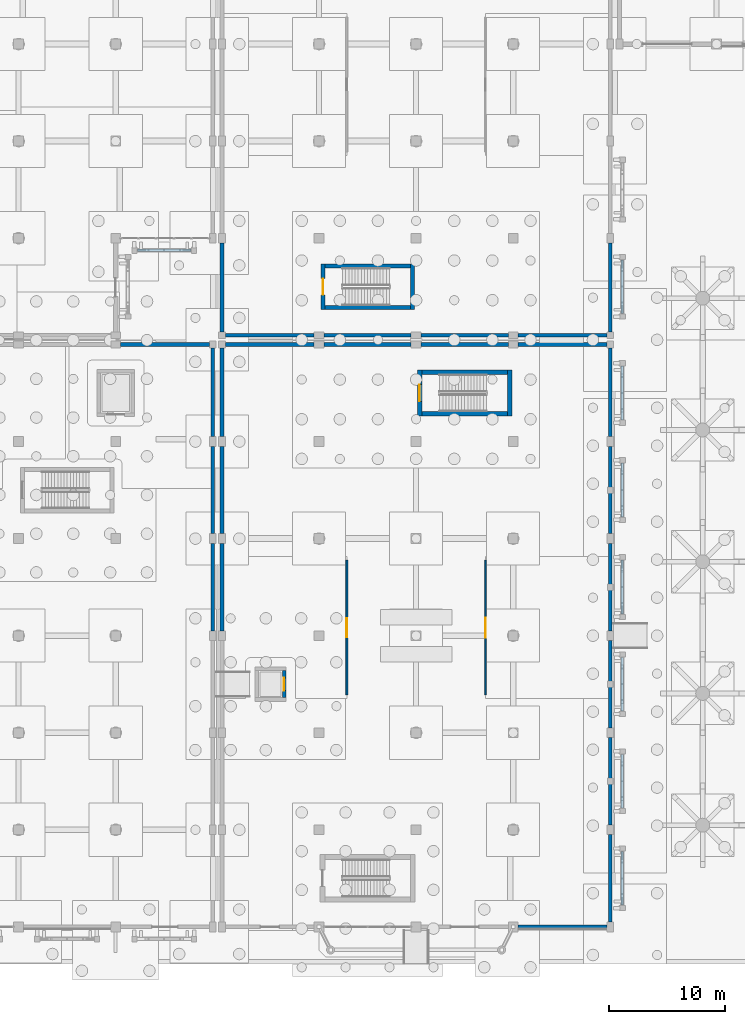
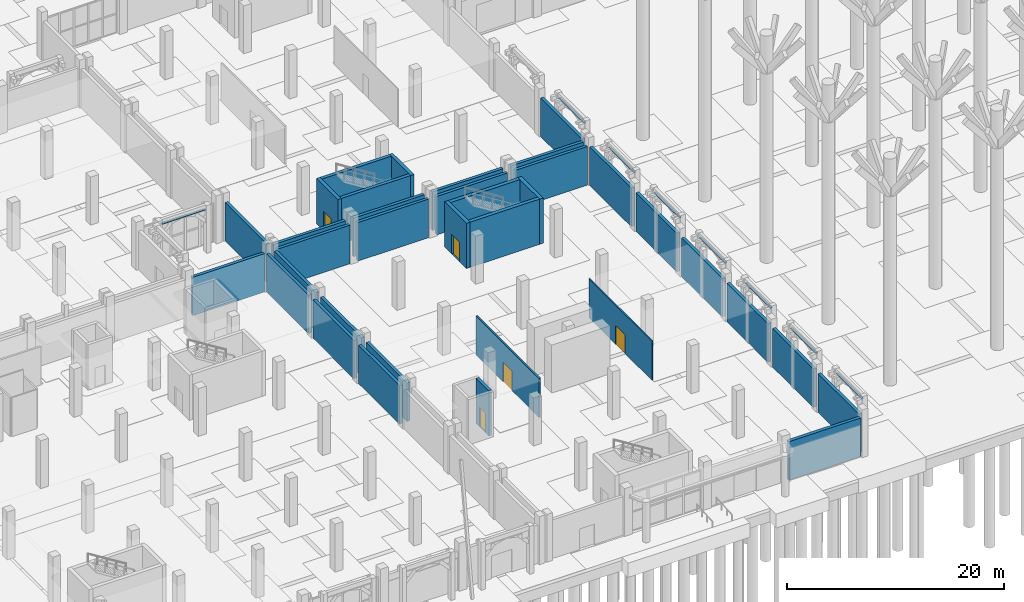
# One storey, part 65 of 98: 43 walls, 5 doors, 5 openings.
"""IFC4 building model written with IfcOpenShell, lengths in metres."""

from ifc_helpers import new_model, si_unit, direction, frame, frame_2d, origin, place, context, subcontext, project, spatial, rectangle, extrude, material, layer, layer_set, type_object, element, fill, save


model = new_model("IFC4")

# Units and contexts
model_context = context("Model", 3, precision=1e-05, world=origin(), true_north=direction((0.0, 1.0)))
body_context = subcontext(model_context, "Body", "Model", "MODEL_VIEW")
ifc_project = project(units=[si_unit("LENGTHUNIT", "METRE"), si_unit("AREAUNIT", "SQUARE_METRE"), si_unit("VOLUMEUNIT", "CUBIC_METRE"), si_unit("PLANEANGLEUNIT", "RADIAN"), si_unit("MASSUNIT", "GRAM", prefix="KILO")], contexts=[model_context])

# Site, building, storey
site_placement = place(None, origin())
site = spatial("IfcSite", under=ifc_project, at=site_placement, CompositionType="ELEMENT")
building_placement = place(site_placement, origin())
building = spatial("IfcBuilding", under=site, at=building_placement, Name="Xazarin Passage Department Store", CompositionType="ELEMENT")
storey_placement = place(building_placement, origin())
storey = spatial("IfcBuildingStorey", under=building, at=storey_placement, Name="L00", CompositionType="ELEMENT", Elevation=0.0)

# Wall, opening, door
ifc_material_1 = material(Name="Buff Baku clay brick", Category="masonry")
ifc_layer_1 = layer(ifc_material_1, 0.169921875)
ifc_layer_set_1 = layer_set([ifc_layer_1], Name="Buff Baku clay brick")
wall_type_1 = type_object("IfcWallType", Name="ARC-W-CMP170", PredefinedType="PARTITIONING", material=ifc_layer_set_1)
wall_1_placement = place(storey_placement, frame((78.800048828125, 20.070068359375, 0.0), z_axis=(0.0, 0.0, 1.0), x_axis=(0.0, 1.0, 0.0)))
wall_1 = element("IfcWall", 1, at=wall_1_placement, inside=storey, type_object=wall_type_1, Name="L00 Silk and Cashmere Shop Front Wall 0055", PredefinedType="PARTITIONING", context=body_context, shape_type="SweptSolid", body=[
    extrude(rectangle(XDim=11.659912109375, YDim=0.169921875, at=frame_2d((5.830078125, 0.0))), origin(), (0.0, 0.0, 1.0), 4.39990234375),
])
opening_1_placement = place(wall_1_placement, frame((5.010009765625, 0.0, 0.0)))
opening_1 = element("IfcOpeningElement", 2, at=opening_1_placement, cuts=wall_1, Name="Opening ID44", PredefinedType="OPENING", context=body_context, shape_type="SweptSolid", body=[
    extrude(rectangle(XDim=1.639892578125, YDim=2.219970703125, at=frame_2d((0.81982421875, 1.10986328125))), frame((0.0, 0.094970703125, 0.0), z_axis=(0.0, -1.0, 0.0), x_axis=(1.0, 0.0, 0.0)), (0.0, 0.0, 1.0), 0.18994140625),
])
ifc_material_2 = material(Name="Bronze anodised aluminium", Category="aluminium")
door_type_1 = type_object("IfcDoorType", Name="ARC-DR-ID44", OperationType="NOTDEFINED", PredefinedType="DOOR", material=ifc_material_2)
door_1_placement = place(opening_1_placement, origin())
door_1 = element("IfcDoor", 3, at=door_1_placement, inside=storey, type_object=door_type_1, Name="DR-INT-L00-0055", OperationType="DOUBLE_DOOR_SINGLE_SWING", OverallHeight=2.219970703125, OverallWidth=1.639892578125, PredefinedType="DOOR", context=body_context, shape_type="SweptSolid", body=[
    extrude(rectangle(XDim=1.639892578125, YDim=2.219970703125, at=frame_2d((0.81982421875, 1.10986328125))), frame((0.0, 0.02490234375, 0.0), z_axis=(0.0, -1.0, 0.0), x_axis=(1.0, 0.0, 0.0)), (0.0, 0.0, 1.0), 0.050048828125),
])
fill(opening_1, door_1)

# Walls
ifc_layer_2 = layer(ifc_material_1, 0.320068359375)
ifc_layer_set_2 = layer_set([ifc_layer_2], Name="Buff Baku clay brick")
wall_type_2 = type_object("IfcWallType", Name="ARC-W-EXT320", PredefinedType="SOLIDWALL", material=ifc_layer_set_2)
wall_2_placement = place(storey_placement, frame((68.300048828125, 50.39990234375, 0.0), z_axis=(0.0, 0.0, 1.0), x_axis=(1.0, 0.0, 0.0)))
element("IfcWall", 4, at=wall_2_placement, inside=storey, type_object=wall_type_2, Name="L00 V2S Exterior Wall 090", PredefinedType="SOLIDWALL", context=body_context, shape_type="SweptSolid", body=[
    extrude(rectangle(XDim=7.675048828125, YDim=0.320068359375, at=frame_2d((3.83740234375, 0.0))), origin(), (0.0, 0.0, 1.0), 4.35009765625),
])
wall_3_placement = place(storey_placement, frame((76.824951171875, 50.39990234375, 0.0), z_axis=(0.0, 0.0, 1.0), x_axis=(1.0, 0.0, 0.0)))
element("IfcWall", 5, at=wall_3_placement, inside=storey, type_object=wall_type_2, Name="L00 V2S Exterior Wall 091", PredefinedType="SOLIDWALL", context=body_context, shape_type="SweptSolid", body=[
    extrude(rectangle(XDim=7.550048828125, YDim=0.320068359375, at=frame_2d((3.77490234375, 0.0))), origin(), (0.0, 0.0, 1.0), 4.35009765625),
])
wall_4_placement = place(storey_placement, frame((85.22509765625, 50.39990234375, 0.0), z_axis=(0.0, 0.0, 1.0), x_axis=(1.0, 0.0, 0.0)))
element("IfcWall", 6, at=wall_4_placement, inside=storey, type_object=wall_type_2, Name="L00 V2S Exterior Wall 092", PredefinedType="SOLIDWALL", context=body_context, shape_type="SweptSolid", body=[
    extrude(rectangle(XDim=7.5498046875, YDim=0.320068359375, at=frame_2d((3.77490234375, 0.0))), origin(), (0.0, 0.0, 1.0), 4.35009765625),
])
wall_5_placement = place(storey_placement, frame((93.625, 50.39990234375, 0.0), z_axis=(0.0, 0.0, 1.0), x_axis=(1.0, 0.0, 0.0)))
element("IfcWall", 7, at=wall_5_placement, inside=storey, type_object=wall_type_2, Name="L00 V2S Exterior Wall 093", PredefinedType="SOLIDWALL", context=body_context, shape_type="SweptSolid", body=[
    extrude(rectangle(XDim=7.675048828125, YDim=0.320068359375, at=frame_2d((3.83740234375, 0.0))), origin(), (0.0, 0.0, 1.0), 4.35009765625),
])
for number, where, z_axis, x_axis, name in (
    (8, (68.0, 25.625, 0.0), (0.0, 0.0, 1.0), (0.0, 1.0, 0.0), "L00 V2S Exterior Wall 097"),
    (9, (68.0, 34.02490234375, 0.0), (0.0, 0.0, 1.0), (0.0, 1.0, 0.0), "L00 V2S Exterior Wall 098"),
):
    element("IfcWall", number, at=place(storey_placement, frame(where, z_axis=z_axis, x_axis=x_axis)), inside=storey, type_object=wall_type_2, Name=name, PredefinedType="SOLIDWALL", context=body_context, shape_type="SweptSolid", body=[
        extrude(rectangle(XDim=7.550048828125, YDim=0.320068359375, at=frame_2d((3.77490234375, 0.0))), origin(), (0.0, 0.0, 1.0), 4.35009765625),
    ])
wall_6_placement = place(storey_placement, frame((68.0, 42.425048828125, 0.0), z_axis=(0.0, 0.0, 1.0), x_axis=(0.0, 1.0, 0.0)))
element("IfcWall", 10, at=wall_6_placement, inside=storey, type_object=wall_type_2, Name="L00 V2S Exterior Wall 099", PredefinedType="SOLIDWALL", context=body_context, shape_type="SweptSolid", body=[
    extrude(rectangle(XDim=7.675048828125, YDim=0.320068359375, at=frame_2d((3.83740234375, 0.0))), origin(), (0.0, 0.0, 1.0), 4.35009765625),
])
for number, where, z_axis, x_axis, name in (
    (11, (101.60009765625, 0.425048828125, 0.0), (0.0, 0.0, 1.0), (0.0, 1.0, 0.0), "L00 V2S Exterior Wall 100"),
    (12, (101.60009765625, 8.824951171875, 0.0), (0.0, 0.0, 1.0), (0.0, 1.0, 0.0), "L00 V2S Exterior Wall 101"),
):
    element("IfcWall", number, at=place(storey_placement, frame(where, z_axis=z_axis, x_axis=x_axis)), inside=storey, type_object=wall_type_2, Name=name, PredefinedType="SOLIDWALL", context=body_context, shape_type="SweptSolid", body=[
        extrude(rectangle(XDim=7.550048828125, YDim=0.320068359375, at=frame_2d((3.77490234375, 0.0))), origin(), (0.0, 0.0, 1.0), 4.35009765625),
    ])
wall_7_placement = place(storey_placement, frame((101.60009765625, 17.22509765625, 0.0), z_axis=(0.0, 0.0, 1.0), x_axis=(0.0, 1.0, 0.0)))
element("IfcWall", 13, at=wall_7_placement, inside=storey, type_object=wall_type_2, Name="L00 V2S Exterior Wall 102", PredefinedType="SOLIDWALL", context=body_context, shape_type="SweptSolid", body=[
    extrude(rectangle(XDim=7.5498046875, YDim=0.320068359375, at=frame_2d((3.77490234375, 0.0))), origin(), (0.0, 0.0, 1.0), 4.35009765625),
])
for number, where, z_axis, x_axis, name in (
    (14, (101.60009765625, 25.625, 0.0), (0.0, 0.0, 1.0), (0.0, 1.0, 0.0), "L00 V2S Exterior Wall 103"),
    (15, (101.60009765625, 34.02490234375, 0.0), (0.0, 0.0, 1.0), (0.0, 1.0, 0.0), "L00 V2S Exterior Wall 104"),
):
    element("IfcWall", number, at=place(storey_placement, frame(where, z_axis=z_axis, x_axis=x_axis)), inside=storey, type_object=wall_type_2, Name=name, PredefinedType="SOLIDWALL", context=body_context, shape_type="SweptSolid", body=[
        extrude(rectangle(XDim=7.550048828125, YDim=0.320068359375, at=frame_2d((3.77490234375, 0.0))), origin(), (0.0, 0.0, 1.0), 4.35009765625),
    ])
for number, where, z_axis, x_axis, name in (
    (16, (101.60009765625, 42.425048828125, 0.0), (0.0, 0.0, 1.0), (0.0, 1.0, 0.0), "L00 V2S Exterior Wall 105"),
    (17, (68.300048828125, 51.199951171875, 0.0), (0.0, 0.0, 1.0), (1.0, 0.0, 0.0), "L00 V2N Exterior Wall 138"),
):
    element("IfcWall", number, at=place(storey_placement, frame(where, z_axis=z_axis, x_axis=x_axis)), inside=storey, type_object=wall_type_2, Name=name, PredefinedType="SOLIDWALL", context=body_context, shape_type="SweptSolid", body=[
        extrude(rectangle(XDim=7.675048828125, YDim=0.320068359375, at=frame_2d((3.83740234375, 0.0))), origin(), (0.0, 0.0, 1.0), 4.35009765625),
    ])
wall_8_placement = place(storey_placement, frame((76.824951171875, 51.199951171875, 0.0), z_axis=(0.0, 0.0, 1.0), x_axis=(1.0, 0.0, 0.0)))
element("IfcWall", 18, at=wall_8_placement, inside=storey, type_object=wall_type_2, Name="L00 V2N Exterior Wall 139", PredefinedType="SOLIDWALL", context=body_context, shape_type="SweptSolid", body=[
    extrude(rectangle(XDim=7.550048828125, YDim=0.320068359375, at=frame_2d((3.77490234375, 0.0))), origin(), (0.0, 0.0, 1.0), 4.35009765625),
])
wall_9_placement = place(storey_placement, frame((85.22509765625, 51.199951171875, 0.0), z_axis=(0.0, 0.0, 1.0), x_axis=(1.0, 0.0, 0.0)))
element("IfcWall", 19, at=wall_9_placement, inside=storey, type_object=wall_type_2, Name="L00 V2N Exterior Wall 140", PredefinedType="SOLIDWALL", context=body_context, shape_type="SweptSolid", body=[
    extrude(rectangle(XDim=7.5498046875, YDim=0.320068359375, at=frame_2d((3.77490234375, 0.0))), origin(), (0.0, 0.0, 1.0), 4.35009765625),
])
for number, where, z_axis, x_axis, name in (
    (20, (93.625, 51.199951171875, 0.0), (0.0, 0.0, 1.0), (1.0, 0.0, 0.0), "L00 V2N Exterior Wall 141"),
    (21, (68.0, 51.5, 0.0), (0.0, 0.0, 1.0), (0.0, 1.0, 0.0), "L00 V2N Exterior Wall 144"),
    (22, (101.60009765625, 51.5, 0.0), (0.0, 0.0, 1.0), (0.0, 1.0, 0.0), "L00 V2N Exterior Wall 149"),
):
    element("IfcWall", number, at=place(storey_placement, frame(where, z_axis=z_axis, x_axis=x_axis)), inside=storey, type_object=wall_type_2, Name=name, PredefinedType="SOLIDWALL", context=body_context, shape_type="SweptSolid", body=[
        extrude(rectangle(XDim=7.675048828125, YDim=0.320068359375, at=frame_2d((3.83740234375, 0.0))), origin(), (0.0, 0.0, 1.0), 4.35009765625),
    ])
wall_10_placement = place(storey_placement, frame((59.22509765625, 50.39990234375, 0.0), z_axis=(0.0, 0.0, 1.0), x_axis=(1.0, 0.0, 0.0)))
element("IfcWall", 23, at=wall_10_placement, inside=storey, type_object=wall_type_2, Name="L00 V3 Exterior Wall 194", PredefinedType="SOLIDWALL", context=body_context, shape_type="SweptSolid", body=[
    extrude(rectangle(XDim=7.6748046875, YDim=0.320068359375, at=frame_2d((3.83740234375, 0.0))), origin(), (0.0, 0.0, 1.0), 4.330078125),
])
for number, where, z_axis, x_axis, name in (
    (24, (67.199951171875, 25.625, 0.0), (0.0, 0.0, 1.0), (0.0, 1.0, 0.0), "L00 V3 Exterior Wall 202"),
    (25, (67.199951171875, 34.02490234375, 0.0), (0.0, 0.0, 1.0), (0.0, 1.0, 0.0), "L00 V3 Exterior Wall 203"),
):
    element("IfcWall", number, at=place(storey_placement, frame(where, z_axis=z_axis, x_axis=x_axis)), inside=storey, type_object=wall_type_2, Name=name, PredefinedType="SOLIDWALL", context=body_context, shape_type="SweptSolid", body=[
        extrude(rectangle(XDim=7.550048828125, YDim=0.320068359375, at=frame_2d((3.77490234375, 0.0))), origin(), (0.0, 0.0, 1.0), 4.330078125),
    ])
wall_11_placement = place(storey_placement, frame((67.199951171875, 42.425048828125, 0.0), z_axis=(0.0, 0.0, 1.0), x_axis=(0.0, 1.0, 0.0)))
element("IfcWall", 26, at=wall_11_placement, inside=storey, type_object=wall_type_2, Name="L00 V3 Exterior Wall 204", PredefinedType="SOLIDWALL", context=body_context, shape_type="SweptSolid", body=[
    extrude(rectangle(XDim=7.675048828125, YDim=0.320068359375, at=frame_2d((3.83740234375, 0.0))), origin(), (0.0, 0.0, 1.0), 4.330078125),
])
ifc_material_3 = material(Name="Absheron limestone cladding", Category="masonry")
ifc_layer_3 = layer(ifc_material_3, 0.340087890625)
ifc_layer_set_3 = layer_set([ifc_layer_3], Name="Absheron limestone cladding")
wall_type_3 = type_object("IfcWallType", Name="ARC-W-EXT340", PredefinedType="SOLIDWALL", material=ifc_layer_set_3)
wall_12_placement = place(storey_placement, frame((93.625, 0.0, 0.0), z_axis=(0.0, 0.0, 1.0), x_axis=(1.0, 0.0, 0.0)))
element("IfcWall", 27, at=wall_12_placement, inside=storey, type_object=wall_type_3, Name="L00 V2S Exterior Wall 089", PredefinedType="SOLIDWALL", context=body_context, shape_type="SweptSolid", body=[
    extrude(rectangle(XDim=7.675048828125, YDim=0.340087890625, at=frame_2d((3.83740234375, 0.0))), origin(), (0.0, 0.0, 1.0), 4.35009765625),
])
ifc_material_4 = material(Name="Precast concrete C40/50", Category="concrete")
ifc_layer_4 = layer(ifc_material_4, 0.2099609375)
ifc_layer_set_4 = layer_set([ifc_layer_4], Name="Precast concrete C40/50")
wall_type_4 = type_object("IfcWallType", Name="ARC-W-PAR210", PredefinedType="PARAPET", material=ifc_layer_set_4)
wall_13_placement = place(storey_placement, frame((60.669921875, 58.550048828125, 4.780029296875), z_axis=(0.0, 0.0, 1.0), x_axis=(1.0, 0.0, 0.0)))
element("IfcWall", 28, at=wall_13_placement, inside=storey, type_object=wall_type_4, Name="L00 V1 Pierced-Arch Spandrel Lintel 0031", PredefinedType="PARAPET", context=body_context, shape_type="SweptSolid", body=[
    extrude(rectangle(XDim=4.66015625, YDim=0.2099609375, at=frame_2d((2.330078125, 0.0))), origin(), (0.0, 0.0, 1.0), 0.119873046875),
])
for number, where, z_axis, x_axis, name in (
    (29, (102.64990234375, 1.8701171875, 4.780029296875), (0.0, 0.0, 1.0), (0.0, 1.0, 0.0), "L00 V2S Pierced-Arch Spandrel Lintel 0084"),
    (30, (102.64990234375, 10.27001953125, 4.780029296875), (0.0, 0.0, 1.0), (0.0, 1.0, 0.0), "L00 V2S Pierced-Arch Spandrel Lintel 0087"),
):
    element("IfcWall", number, at=place(storey_placement, frame(where, z_axis=z_axis, x_axis=x_axis)), inside=storey, type_object=wall_type_4, Name=name, PredefinedType="PARAPET", context=body_context, shape_type="SweptSolid", body=[
        extrude(rectangle(XDim=4.659912109375, YDim=0.2099609375, at=frame_2d((2.330078125, 0.0))), origin(), (0.0, 0.0, 1.0), 0.119873046875),
    ])
wall_14_placement = place(storey_placement, frame((102.64990234375, 18.669921875, 4.780029296875), z_axis=(0.0, 0.0, 1.0), x_axis=(0.0, 1.0, 0.0)))
element("IfcWall", 31, at=wall_14_placement, inside=storey, type_object=wall_type_4, Name="L00 V2S Pierced-Arch Spandrel Lintel 0090", PredefinedType="PARAPET", context=body_context, shape_type="SweptSolid", body=[
    extrude(rectangle(XDim=4.66015625, YDim=0.2099609375, at=frame_2d((2.330078125, 0.0))), origin(), (0.0, 0.0, 1.0), 0.119873046875),
])
for number, where, z_axis, x_axis, name in (
    (32, (102.64990234375, 27.070068359375, 4.780029296875), (0.0, 0.0, 1.0), (0.0, 1.0, 0.0), "L00 V2S Pierced-Arch Spandrel Lintel 0093"),
    (33, (102.64990234375, 35.469970703125, 4.780029296875), (0.0, 0.0, 1.0), (0.0, 1.0, 0.0), "L00 V2S Pierced-Arch Spandrel Lintel 0096"),
    (34, (102.64990234375, 43.8701171875, 4.780029296875), (0.0, 0.0, 1.0), (0.0, 1.0, 0.0), "L00 V2S Pierced-Arch Spandrel Lintel 0099"),
    (35, (102.64990234375, 53.070068359375, 4.780029296875), (0.0, 0.0, 1.0), (0.0, 1.0, 0.0), "L00 V2N Pierced-Arch Spandrel Lintel 0102"),
):
    element("IfcWall", number, at=place(storey_placement, frame(where, z_axis=z_axis, x_axis=x_axis)), inside=storey, type_object=wall_type_4, Name=name, PredefinedType="PARAPET", context=body_context, shape_type="SweptSolid", body=[
        extrude(rectangle(XDim=4.659912109375, YDim=0.2099609375, at=frame_2d((2.330078125, 0.0))), origin(), (0.0, 0.0, 1.0), 0.119873046875),
    ])

# Wall, opening, door
ifc_material_5 = material(Name="Gypsum board acoustic partition")
ifc_layer_5 = layer(ifc_material_5, 0.125)
ifc_layer_set_5 = layer_set([ifc_layer_5], Name="Gypsum board acoustic partition")
wall_type_5 = type_object("IfcWallType", Name="ARC-W-PRT125", PredefinedType="PARTITIONING", material=ifc_layer_set_5)
wall_15_placement = place(storey_placement, frame((90.800048828125, 20.070068359375, 0.0), z_axis=(0.0, 0.0, 1.0), x_axis=(0.0, 1.0, 0.0)))
wall_15 = element("IfcWall", 36, at=wall_15_placement, inside=storey, type_object=wall_type_5, Name="L00 Arcade Boutique Front Wall 0056", PredefinedType="PARTITIONING", context=body_context, shape_type="SweptSolid", body=[
    extrude(rectangle(XDim=11.659912109375, YDim=0.125, at=frame_2d((5.830078125, 0.0))), origin(), (0.0, 0.0, 1.0), 4.39990234375),
])
opening_2_placement = place(wall_15_placement, frame((4.969970703125, 0.0, 0.0)))
opening_2 = element("IfcOpeningElement", 37, at=opening_2_placement, cuts=wall_15, Name="Opening ID47", PredefinedType="OPENING", context=body_context, shape_type="SweptSolid", body=[
    extrude(rectangle(XDim=1.719970703125, YDim=2.10009765625, at=frame_2d((0.85986328125, 1.050048828125))), frame((0.0, 0.072509765625, 0.0), z_axis=(0.0, -1.0, 0.0), x_axis=(1.0, 0.0, 0.0)), (0.0, 0.0, 1.0), 0.14501953125),
])
door_type_2 = type_object("IfcDoorType", Name="ARC-DR-ID47", OperationType="NOTDEFINED", PredefinedType="DOOR", material=ifc_material_2)
door_2_placement = place(opening_2_placement, origin())
door_2 = element("IfcDoor", 38, at=door_2_placement, inside=storey, type_object=door_type_2, Name="DR-INT-L00-0056", OperationType="DOUBLE_DOOR_SINGLE_SWING", OverallHeight=2.10009765625, OverallWidth=1.719970703125, PredefinedType="DOOR", context=body_context, shape_type="SweptSolid", body=[
    extrude(rectangle(XDim=1.719970703125, YDim=2.10009765625, at=frame_2d((0.85986328125, 1.050048828125))), frame((0.0, 0.02490234375, 0.0), z_axis=(0.0, -1.0, 0.0), x_axis=(1.0, 0.0, 0.0)), (0.0, 0.0, 1.0), 0.050048828125),
])
fill(opening_2, door_2)

ifc_material_6 = material(Name="Concrete C40/50", Category="concrete")
ifc_layer_6 = layer(ifc_material_6, 0.31005859375)
ifc_layer_set_6 = layer_set([ifc_layer_6], Name="Concrete C40/50")
wall_type_6 = type_object("IfcWallType", Name="STR-W-LFT310", PredefinedType="SHEAR", material=ifc_layer_set_6)
wall_16_placement = place(storey_placement, frame((73.375, 19.830078125, 0.0), z_axis=(0.0, 0.0, 1.0), x_axis=(0.0, 1.0, 0.0)))
wall_16 = element("IfcWall", 39, at=wall_16_placement, inside=storey, type_object=wall_type_6, Name="L00 Lift PL3 Shaft Wall East", PredefinedType="SHEAR", context=body_context, shape_type="SweptSolid", body=[
    extrude(rectangle(XDim=2.33984375, YDim=0.31005859375, at=frame_2d((1.169921875, 0.0))), origin(), (0.0, 0.0, 1.0), 5.10009765625),
])
opening_3_placement = place(wall_16_placement, frame((0.6201171875, 0.0, 0.0)))
opening_3 = element("IfcOpeningElement", 40, at=opening_3_placement, cuts=wall_16, Name="Opening LD-PL3-L00", PredefinedType="OPENING", context=body_context, shape_type="SweptSolid", body=[
    extrude(rectangle(XDim=1.10009765625, YDim=2.199951171875, at=frame_2d((0.550048828125, 1.10009765625))), frame((0.0, 0.1650390625, 0.0), z_axis=(0.0, -1.0, 0.0), x_axis=(1.0, 0.0, 0.0)), (0.0, 0.0, 1.0), 0.330078125),
])
ifc_material_7 = material(Name="Steel S355", Category="steel")
door_type_3 = type_object("IfcDoorType", Name="ARC-DR-LD110", OperationType="NOTDEFINED", PredefinedType="DOOR", material=ifc_material_7)
door_3_placement = place(opening_3_placement, origin())
door_3 = element("IfcDoor", 41, at=door_3_placement, inside=storey, type_object=door_type_3, Name="DR-LD-PL3-L00", OperationType="SLIDING_TO_LEFT", OverallHeight=2.199951171875, OverallWidth=1.10009765625, PredefinedType="DOOR", context=body_context, shape_type="SweptSolid", body=[
    extrude(rectangle(XDim=1.10009765625, YDim=2.199951171875, at=frame_2d((0.550048828125, 1.10009765625))), frame((0.0, 0.02490234375, 0.0), z_axis=(0.0, -1.0, 0.0), x_axis=(1.0, 0.0, 0.0)), (0.0, 0.0, 1.0), 0.050048828125),
])
fill(opening_3, door_3)

ifc_layer_7 = layer(ifc_material_6, 0.35009765625)
ifc_layer_set_7 = layer_set([ifc_layer_7], Name="Concrete C40/50")
wall_type_7 = type_object("IfcWallType", Name="STR-W-SHR350", PredefinedType="SHEAR", material=ifc_layer_set_7)
wall_17_placement = place(storey_placement, frame((76.72509765625, 53.429931640625, 0.0), z_axis=(0.0, 0.0, 1.0), x_axis=(0.0, 1.0, 0.0)))
wall_17 = element("IfcWall", 42, at=wall_17_placement, inside=storey, type_object=wall_type_7, Name="L00 Core K6 West Shear Wall", PredefinedType="SHEAR", context=body_context, shape_type="SweptSolid", body=[
    extrude(rectangle(XDim=3.940185546875, YDim=0.35009765625, at=frame_2d((1.97021484375, 0.0))), origin(), (0.0, 0.0, 1.0), 5.10009765625),
])
opening_4_placement = place(wall_17_placement, frame((1.27001953125, 0.0, 0.0)))
opening_4 = element("IfcOpeningElement", 43, at=opening_4_placement, cuts=wall_17, Name="Opening FD2", PredefinedType="OPENING", context=body_context, shape_type="SweptSolid", body=[
    extrude(rectangle(XDim=1.39990234375, YDim=2.14990234375, at=frame_2d((0.699951171875, 1.074951171875))), frame((0.0, 0.18505859375, 0.0), z_axis=(0.0, -1.0, 0.0), x_axis=(1.0, 0.0, 0.0)), (0.0, 0.0, 1.0), 0.3701171875),
])
door_type_4 = type_object("IfcDoorType", Name="ARC-DR-STR140", OperationType="NOTDEFINED", PredefinedType="DOOR", material=ifc_material_7)
door_4_placement = place(opening_4_placement, origin())
door_4 = element("IfcDoor", 44, at=door_4_placement, inside=storey, type_object=door_type_4, Name="DR-STR-K6-L00", OperationType="SINGLE_SWING_RIGHT", OverallHeight=2.14990234375, OverallWidth=1.39990234375, PredefinedType="DOOR", context=body_context, shape_type="SweptSolid", body=[
    extrude(rectangle(XDim=1.39990234375, YDim=2.14990234375, at=frame_2d((0.699951171875, 1.074951171875))), frame((0.0, 0.02490234375, 0.0), z_axis=(0.0, -1.0, 0.0), x_axis=(1.0, 0.0, 0.0)), (0.0, 0.0, 1.0), 0.050048828125),
])
fill(opening_4, door_4)

# Walls
wall_18_placement = place(storey_placement, frame((84.47509765625, 53.429931640625, 0.0), z_axis=(0.0, 0.0, 1.0), x_axis=(0.0, 1.0, 0.0)))
element("IfcWall", 45, at=wall_18_placement, inside=storey, type_object=wall_type_7, Name="L00 Core K6 East Shear Wall", PredefinedType="SHEAR", context=body_context, shape_type="SweptSolid", body=[
    extrude(rectangle(XDim=3.940185546875, YDim=0.35009765625, at=frame_2d((1.97021484375, 0.0))), origin(), (0.0, 0.0, 1.0), 5.10009765625),
])
for number, where, z_axis, x_axis, name in (
    (46, (76.89990234375, 53.60498046875, 0.0), (0.0, 0.0, 1.0), (1.0, 0.0, 0.0), "L00 Core K6 South Shear Wall"),
    (47, (76.89990234375, 57.195068359375, 0.0), (0.0, 0.0, 1.0), (1.0, 0.0, 0.0), "L00 Core K6 North Shear Wall"),
):
    element("IfcWall", number, at=place(storey_placement, frame(where, z_axis=z_axis, x_axis=x_axis)), inside=storey, type_object=wall_type_7, Name=name, PredefinedType="SHEAR", context=body_context, shape_type="SweptSolid", body=[
        extrude(rectangle(XDim=7.400146484375, YDim=0.35009765625, at=frame_2d((3.7001953125, 0.0))), origin(), (0.0, 0.0, 1.0), 5.10009765625),
    ])

# Wall, opening, door
ifc_layer_8 = layer(ifc_material_6, 0.389892578125)
ifc_layer_set_8 = layer_set([ifc_layer_8], Name="Concrete C40/50")
wall_type_8 = type_object("IfcWallType", Name="STR-W-SHR390", PredefinedType="SHEAR", material=ifc_layer_set_8)
wall_19_placement = place(storey_placement, frame((85.10498046875, 44.18994140625, 0.0), z_axis=(0.0, 0.0, 1.0), x_axis=(0.0, 1.0, 0.0)))
wall_19 = element("IfcWall", 48, at=wall_19_placement, inside=storey, type_object=wall_type_8, Name="L00 Core K5 West Shear Wall", PredefinedType="SHEAR", context=body_context, shape_type="SweptSolid", body=[
    extrude(rectangle(XDim=4.02001953125, YDim=0.389892578125, at=frame_2d((2.010009765625, 0.0))), origin(), (0.0, 0.0, 1.0), 5.10009765625),
])
opening_5_placement = place(wall_19_placement, frame((1.284912109375, 0.0, 0.0)))
opening_5 = element("IfcOpeningElement", 49, at=opening_5_placement, cuts=wall_19, Name="Opening FD1", PredefinedType="OPENING", context=body_context, shape_type="SweptSolid", body=[
    extrude(rectangle(XDim=1.449951171875, YDim=2.199951171875, at=frame_2d((0.72509765625, 1.10009765625))), frame((0.0, 0.204833984375, 0.0), z_axis=(0.0, -1.0, 0.0), x_axis=(1.0, 0.0, 0.0)), (0.0, 0.0, 1.0), 0.409912109375),
])
door_type_5 = type_object("IfcDoorType", Name="ARC-DR-STR145", OperationType="NOTDEFINED", PredefinedType="DOOR", material=ifc_material_7)
door_5_placement = place(opening_5_placement, origin())
door_5 = element("IfcDoor", 50, at=door_5_placement, inside=storey, type_object=door_type_5, Name="DR-STR-K5-L00", OperationType="SINGLE_SWING_LEFT", OverallHeight=2.199951171875, OverallWidth=1.449951171875, PredefinedType="DOOR", context=body_context, shape_type="SweptSolid", body=[
    extrude(rectangle(XDim=1.449951171875, YDim=2.199951171875, at=frame_2d((0.72509765625, 1.10009765625))), frame((0.0, 0.02490234375, 0.0), z_axis=(0.0, -1.0, 0.0), x_axis=(1.0, 0.0, 0.0)), (0.0, 0.0, 1.0), 0.050048828125),
])
fill(opening_5, door_5)

# Walls
wall_20_placement = place(storey_placement, frame((92.89501953125, 44.18994140625, 0.0), z_axis=(0.0, 0.0, 1.0), x_axis=(0.0, 1.0, 0.0)))
element("IfcWall", 51, at=wall_20_placement, inside=storey, type_object=wall_type_8, Name="L00 Core K5 East Shear Wall", PredefinedType="SHEAR", context=body_context, shape_type="SweptSolid", body=[
    extrude(rectangle(XDim=4.02001953125, YDim=0.389892578125, at=frame_2d((2.010009765625, 0.0))), origin(), (0.0, 0.0, 1.0), 5.10009765625),
])
for number, where, z_axis, x_axis, name in (
    (52, (85.300048828125, 44.385009765625, 0.0), (0.0, 0.0, 1.0), (1.0, 0.0, 0.0), "L00 Core K5 South Shear Wall"),
    (53, (85.300048828125, 48.014892578125, 0.0), (0.0, 0.0, 1.0), (1.0, 0.0, 0.0), "L00 Core K5 North Shear Wall"),
):
    element("IfcWall", number, at=place(storey_placement, frame(where, z_axis=z_axis, x_axis=x_axis)), inside=storey, type_object=wall_type_8, Name=name, PredefinedType="SHEAR", context=body_context, shape_type="SweptSolid", body=[
        extrude(rectangle(XDim=7.39990234375, YDim=0.389892578125, at=frame_2d((3.699951171875, 0.0))), origin(), (0.0, 0.0, 1.0), 5.10009765625),
    ])

save(model, "model.ifc")
